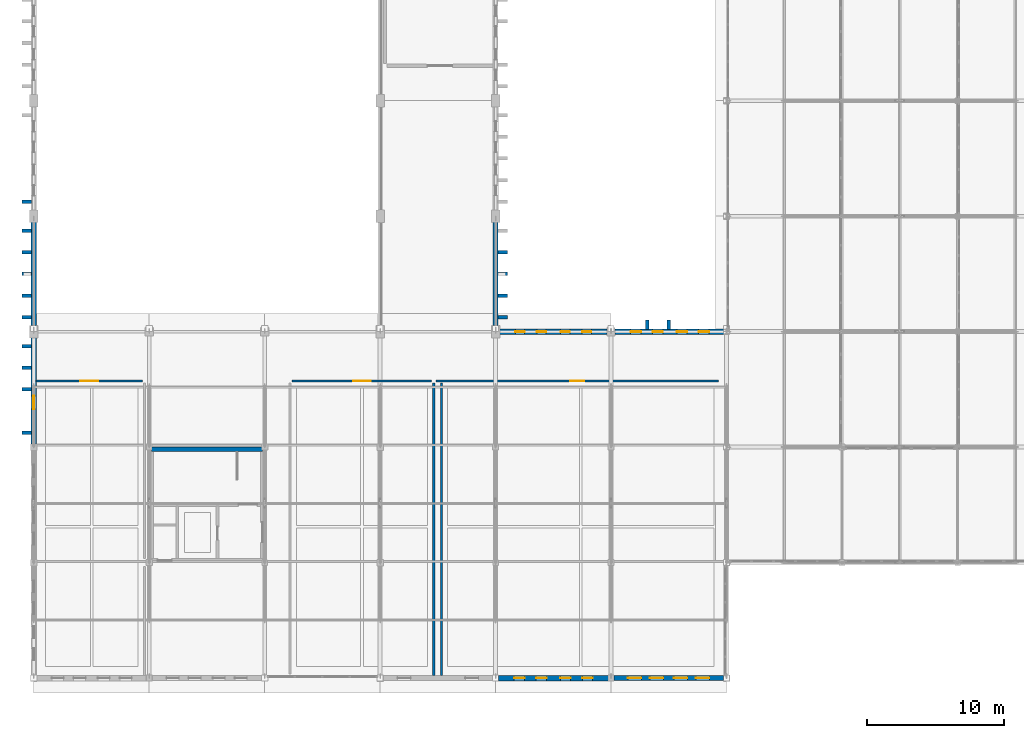
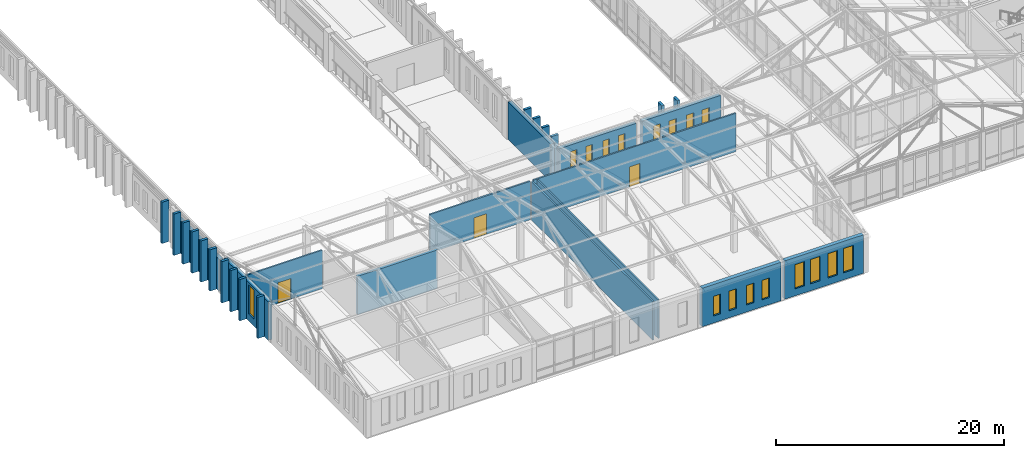
# One storey, part 157 of 192: 29 walls, 17 windows, 3 doors, 20 openings.
"""IFC4 building model written with IfcOpenShell, lengths in metres."""

import ifcopenshell
import ifcopenshell.guid

model = None  # the IFC model being written
_history = None  # IfcOwnerHistory: only IFC2X3 demands one
_inside = {}  # id of a spatial element -> (the spatial element, [elements in it])
_under = {}  # id of a project, library or spatial element -> (it, [spatial elements below it])
_declared = {}  # id of a project -> (the project, [libraries it declares])
_typed = {}  # id of a type object -> (the type object, [elements of that type])
_made_of = {}  # id of a material, layer set ... -> (it, [elements and type objects made of it])


def new_model(schema):
    """Start an empty IFC model of exactly this schema.

    Asked for "IFC4X3", IfcOpenShell would pick the latest addendum, in which some entities
    have other attributes; the version numbers below select the first issue.
    IFC2X3 requires an IfcOwnerHistory on every rooted entity: one is made here for all.
    """
    global model, _history
    if schema == "IFC4X3":
        model = ifcopenshell.file(schema_version=(4, 3, 0, 0))
    else:
        model = ifcopenshell.file(schema=schema)
    _inside.clear()
    _under.clear()
    _declared.clear()
    _typed.clear()
    _made_of.clear()
    _history = None
    if model.schema == "IFC2X3":
        org = make("IfcOrganization", Name="unknown")
        user = make(
            "IfcPersonAndOrganization",
            ThePerson=make("IfcPerson", FamilyName="unknown"),
            TheOrganization=org,
        )
        app = make(
            "IfcApplication",
            ApplicationDeveloper=org,
            Version="unknown",
            ApplicationFullName="unknown",
            ApplicationIdentifier="unknown",
        )
        _history = make(
            "IfcOwnerHistory",
            OwningUser=user,
            OwningApplication=app,
            ChangeAction="ADDED",
            CreationDate=0,
        )
    return model


def make(cls, **values):
    """One entity of the class cls with the attributes given. An attribute that is None is left unset."""
    return model.create_entity(
        cls, **{name: value for name, value in values.items() if value is not None}
    )


def rooted(cls, **values):
    """An entity with a GlobalId (a new one), such as an element, a storey or a relation."""
    return make(cls, GlobalId=ifcopenshell.guid.new(), OwnerHistory=_history, **values)


def si_unit(unit_type, name, prefix=None):
    """IfcSIUnit, for example si_unit("LENGTHUNIT", "METRE", prefix="MILLI")."""
    return make("IfcSIUnit", UnitType=unit_type, Prefix=prefix, Name=name)


def assignment(units):
    """IfcUnitAssignment: the units of a project."""
    return None if units is None else make("IfcUnitAssignment", Units=units)


def point(xyz):
    """IfcCartesianPoint."""
    return None if xyz is None else make("IfcCartesianPoint", Coordinates=xyz)


def direction(xyz):
    """IfcDirection."""
    return None if xyz is None else make("IfcDirection", DirectionRatios=xyz)


def frame(location, z_axis=None, x_axis=None):
    """IfcAxis2Placement3D, a coordinate frame: its origin and axes. An axis left out is left unset."""
    return make(
        "IfcAxis2Placement3D",
        Location=point(location),
        Axis=direction(z_axis),
        RefDirection=direction(x_axis),
    )


def frame_2d(location, x_axis=None):
    """IfcAxis2Placement2D, a coordinate frame in the plane: its origin and x axis."""
    return make(
        "IfcAxis2Placement2D", Location=point(location), RefDirection=direction(x_axis)
    )


def origin():
    """The frame at (0, 0, 0) with its axes left unset."""
    return frame((0.0, 0.0, 0.0))


def place(relative_to, where):
    """IfcLocalPlacement: puts the frame where relative to a parent placement (None: the world)."""
    return make(
        "IfcLocalPlacement", PlacementRelTo=relative_to, RelativePlacement=where
    )


def context(
    kind, dimensions, precision=None, world=None, true_north=None, identifier=None
):
    """IfcGeometricRepresentationContext, for example the 3D "Model" context."""
    return make(
        "IfcGeometricRepresentationContext",
        ContextIdentifier=identifier,
        ContextType=kind,
        CoordinateSpaceDimension=dimensions,
        Precision=precision,
        WorldCoordinateSystem=world,
        TrueNorth=true_north,
    )


def subcontext(parent, identifier, kind, view, scale=None):
    """IfcGeometricRepresentationSubContext, for example "Body" below "Model"."""
    return make(
        "IfcGeometricRepresentationSubContext",
        ContextIdentifier=identifier,
        ContextType=kind,
        ParentContext=parent,
        TargetScale=scale,
        TargetView=view,
    )


def project(units=None, contexts=None):
    """IfcProject with its units and contexts."""
    return rooted(
        "IfcProject",
        Name="project",
        RepresentationContexts=contexts,
        UnitsInContext=assignment(units),
    )


def spatial(cls, under=None, at=None, **own):
    """A site, building, storey or space (cls), placed at a placement, below another one or the project."""
    s = rooted(cls, ObjectPlacement=at, **own)
    if under is not None:
        _under.setdefault(under.id(), (under, []))[1].append(s)
    return s


def profile(cls, at=None, kind="AREA", **sizes):
    """A parametric profile (cls). Its sizes go by their IFC names, for example OverallWidth=200.0."""
    return make(cls, ProfileType=kind, Position=at, **sizes)


def rectangle(**sizes):
    """IfcRectangleProfileDef."""
    return profile("IfcRectangleProfileDef", **sizes)


def extrude(swept, where, along, depth):
    """IfcExtrudedAreaSolid: the profile swept, set in the frame where, extruded along a direction by depth."""
    return make(
        "IfcExtrudedAreaSolid",
        SweptArea=swept,
        Position=where,
        ExtrudedDirection=direction(along),
        Depth=depth,
    )


def shape(context_of_items, identifier, shape_type, items):
    """IfcShapeRepresentation: the items that make up one representation, for example the "Body"."""
    return make(
        "IfcShapeRepresentation",
        ContextOfItems=context_of_items,
        RepresentationIdentifier=identifier,
        RepresentationType=shape_type,
        Items=items,
    )


def material(Name=None, Category=None):
    """IfcMaterial."""
    return make("IfcMaterial", Name=Name, Category=Category)


def layer(
    of_material, thickness, ventilated=None, Name=None, Category=None, Priority=None
):
    """IfcMaterialLayer: one layer of a wall or slab, of a material (None: an air gap)."""
    return make(
        "IfcMaterialLayer",
        Material=of_material,
        LayerThickness=thickness,
        IsVentilated=ventilated,
        Name=Name,
        Category=Category,
        Priority=Priority,
    )


def layer_set(layers, Name=None):
    """IfcMaterialLayerSet."""
    return make("IfcMaterialLayerSet", MaterialLayers=layers, LayerSetName=Name)


def made_of(thing, what):
    """Note that an element or type object is made of a material, layer set ...; save() writes the relation."""
    if what is not None:
        _made_of.setdefault(what.id(), (what, []))[1].append(thing)
    return thing


def type_object(cls, material=None, **own):
    """A type object (cls), such as IfcWallType, which elements share."""
    return made_of(rooted(cls, **own), material)


def element(
    cls,
    number,
    at=None,
    inside=None,
    cuts=None,
    type_object=None,
    material=None,
    context=None,
    identifier="Body",
    shape_type=None,
    held_by="IfcProductDefinitionShape",
    body=None,
    shapes=None,
    **own,
):
    """One element of the class cls, such as IfcWall. Its Tag is "e" and its number.

    at: its placement. inside: the storey or other place that contains it. cuts: it is an
    opening in that element (IfcRelVoidsElement). A single representation is given by context,
    identifier, shape_type and body (its items); several are given by shapes. held_by: the class
    of the entity that holds the representations. save() writes the other relations.
    """
    e = rooted(cls, Tag="e%d" % number, ObjectPlacement=at, **own)
    if body is not None:
        shapes = [shape(context, identifier, shape_type, body)]
    if shapes is not None:
        e.Representation = make(held_by, Representations=shapes)
    if inside is not None:
        _inside.setdefault(inside.id(), (inside, []))[1].append(e)
    if cuts is not None:
        rooted(
            "IfcRelVoidsElement", RelatingBuildingElement=cuts, RelatedOpeningElement=e
        )
    if type_object is not None:
        _typed.setdefault(type_object.id(), (type_object, []))[1].append(e)
    return made_of(e, material)


def fill(opening, filler):
    """IfcRelFillsElement: the door or window that sits in an opening."""
    return rooted(
        "IfcRelFillsElement",
        RelatingOpeningElement=opening,
        RelatedBuildingElement=filler,
    )


def aggregate(whole, parts):
    """IfcRelAggregates: a whole, such as a stair, and the parts it consists of."""
    return rooted("IfcRelAggregates", RelatingObject=whole, RelatedObjects=parts)


def save(model, path):
    """Write the relations noted so far, then the file.

    IfcRelAggregates (storeys below a building ...), IfcRelContainedInSpatialStructure (elements
    in a storey), IfcRelDefinesByType, IfcRelAssociatesMaterial and IfcRelDeclares: one each for
    every whole, place, type object, material and project.
    """
    for whole, parts in _under.values():
        aggregate(whole, parts)
    for where, things in _inside.values():
        rooted(
            "IfcRelContainedInSpatialStructure",
            RelatedElements=things,
            RelatingStructure=where,
        )
    for kind, things in _typed.values():
        rooted("IfcRelDefinesByType", RelatedObjects=things, RelatingType=kind)
    for what, things in _made_of.values():
        rooted("IfcRelAssociatesMaterial", RelatedObjects=things, RelatingMaterial=what)
    for by, libraries in _declared.values():
        rooted("IfcRelDeclares", RelatingContext=by, RelatedDefinitions=libraries)
    model.write(path)


model = new_model("IFC4")

# Units and contexts
model_context = context("Model", 3, precision=1e-05, world=origin(), true_north=direction((0.0, 1.0)))
body_context = subcontext(model_context, "Body", "Model", "MODEL_VIEW")
ifc_project = project(units=[si_unit("LENGTHUNIT", "METRE"), si_unit("AREAUNIT", "SQUARE_METRE"), si_unit("VOLUMEUNIT", "CUBIC_METRE"), si_unit("PLANEANGLEUNIT", "RADIAN"), si_unit("MASSUNIT", "GRAM", prefix="KILO")], contexts=[model_context])

# Site, building, storey
site_placement = place(None, origin())
site = spatial("IfcSite", under=ifc_project, at=site_placement, CompositionType="ELEMENT")
building_placement = place(site_placement, origin())
building = spatial("IfcBuilding", under=site, at=building_placement, Name="Kveldsbrygga Polytechnic", CompositionType="ELEMENT")
storey_placement = place(building_placement, frame((0.0, 0.0, 5.43994140625)))
storey = spatial("IfcBuildingStorey", under=building, at=storey_placement, Name="L01", CompositionType="ELEMENT", Elevation=5.43994140625)

# Walls
ifc_material_1 = material(Name="Fired clay brick masonry M10", Category="masonry")
ifc_layer_1 = layer(ifc_material_1, 0.3798828125)
ifc_layer_set_1 = layer_set([ifc_layer_1], Name="Fired clay brick masonry M10")
wall_type_1 = type_object("IfcWallType", Name="EW-BRICK-380", PredefinedType="SOLIDWALL", material=ifc_layer_set_1)
wall_1_placement = place(storey_placement, frame((0.0, 25.635009765625, 0.0), z_axis=(0.0, 0.0, 1.0), x_axis=(0.0, 1.0, 0.0)))
element("IfcWall", 1, at=wall_1_placement, inside=storey, type_object=wall_type_1, Name="Exterior Brick Wall EW-L01-Y-00-03", PredefinedType="SOLIDWALL", context=body_context, shape_type="SweptSolid", body=[
    extrude(rectangle(XDim=7.530029296875, YDim=0.3798828125, at=frame_2d((3.76513671875, 0.0))), origin(), (0.0, 0.0, 1.0), 3.4599609375),
])
wall_2_placement = place(storey_placement, frame((33.60009765625, 25.635009765625, 0.0), z_axis=(0.0, 0.0, 1.0), x_axis=(0.0, 1.0, 0.0)))
element("IfcWall", 2, at=wall_2_placement, inside=storey, type_object=wall_type_1, Name="Exterior Brick Wall EW-L01-Y-04-03", PredefinedType="SOLIDWALL", context=body_context, shape_type="SweptSolid", body=[
    extrude(rectangle(XDim=7.530029296875, YDim=0.3798828125, at=frame_2d((3.76513671875, 0.0))), origin(), (0.0, 0.0, 1.0), 4.02001953125),
])

# Wall, openings, windows
wall_3_placement = place(storey_placement, frame((33.885009765625, 25.199951171875, 0.0), z_axis=(0.0, 0.0, 1.0), x_axis=(1.0, 0.0, 0.0)))
wall_3 = element("IfcWall", 3, at=wall_3_placement, inside=storey, type_object=wall_type_1, Name="Exterior Brick Wall EW-L01-X-04-03", PredefinedType="SOLIDWALL", context=body_context, shape_type="SweptSolid", body=[
    extrude(rectangle(XDim=7.830078125, YDim=0.3798828125, at=frame_2d((3.9150390625, 0.0))), origin(), (0.0, 0.0, 1.0), 3.760009765625),
])
opening_1_placement = place(wall_3_placement, frame((1.147705078125, 0.0, 0.75)))
opening_1 = element("IfcOpeningElement", 4, at=opening_1_placement, cuts=wall_3, Name="Opening W-42", PredefinedType="OPENING", context=body_context, shape_type="SweptSolid", body=[
    extrude(rectangle(XDim=0.679931640625, YDim=2.300048828125, at=frame_2d((0.33984375, 1.14990234375))), frame((0.0, 0.199951171875, 0.0), z_axis=(0.0, -1.0, 0.0), x_axis=(1.0, 0.0, 0.0)), (0.0, 0.0, 1.0), 0.39990234375),
])
opening_2_placement = place(wall_3_placement, frame((2.713623046875, 0.0, 0.75)))
opening_2 = element("IfcOpeningElement", 5, at=opening_2_placement, cuts=wall_3, Name="Opening W-42", PredefinedType="OPENING", context=body_context, shape_type="SweptSolid", body=[
    extrude(rectangle(XDim=0.679931640625, YDim=2.300048828125, at=frame_2d((0.33984375, 1.14990234375))), frame((0.0, 0.199951171875, 0.0), z_axis=(0.0, -1.0, 0.0), x_axis=(1.0, 0.0, 0.0)), (0.0, 0.0, 1.0), 0.39990234375),
])
opening_3_placement = place(wall_3_placement, frame((4.436279296875, 0.0, 0.75)))
opening_3 = element("IfcOpeningElement", 6, at=opening_3_placement, cuts=wall_3, Name="Opening W-42", PredefinedType="OPENING", context=body_context, shape_type="SweptSolid", body=[
    extrude(rectangle(XDim=0.679931640625, YDim=2.300048828125, at=frame_2d((0.33984375, 1.14990234375))), frame((0.0, 0.199951171875, 0.0), z_axis=(0.0, -1.0, 0.0), x_axis=(1.0, 0.0, 0.0)), (0.0, 0.0, 1.0), 0.39990234375),
])
opening_4_placement = place(wall_3_placement, frame((6.002197265625, 0.0, 0.75)))
opening_4 = element("IfcOpeningElement", 7, at=opening_4_placement, cuts=wall_3, Name="Opening W-42", PredefinedType="OPENING", context=body_context, shape_type="SweptSolid", body=[
    extrude(rectangle(XDim=0.679931640625, YDim=2.300048828125, at=frame_2d((0.33984375, 1.14990234375))), frame((0.0, 0.199951171875, 0.0), z_axis=(0.0, -1.0, 0.0), x_axis=(1.0, 0.0, 0.0)), (0.0, 0.0, 1.0), 0.39990234375),
])
ifc_material_2 = material(Name="Insulated triple low-E glass", Category="glass")
window_type_1 = type_object("IfcWindowType", Name="WN-LANC-068x230", PartitioningType="DOUBLE_PANEL_VERTICAL", PredefinedType="WINDOW", material=ifc_material_2)
window_1_placement = place(opening_1_placement, origin())
window_1 = element("IfcWindow", 8, at=window_1_placement, inside=storey, type_object=window_type_1, Name="Gothic Lancet Window WIN-L01-X-04-03-1", OverallHeight=2.300048828125, OverallWidth=0.679931640625, PartitioningType="DOUBLE_PANEL_VERTICAL", PredefinedType="WINDOW", context=body_context, shape_type="SweptSolid", body=[
    extrude(rectangle(XDim=0.679931640625, YDim=2.300048828125, at=frame_2d((0.33984375, 1.14990234375))), frame((0.0, 0.030029296875, 0.0), z_axis=(0.0, -1.0, 0.0), x_axis=(1.0, 0.0, 0.0)), (0.0, 0.0, 1.0), 0.06005859375),
])
fill(opening_1, window_1)
window_2_placement = place(opening_2_placement, origin())
window_2 = element("IfcWindow", 9, at=window_2_placement, inside=storey, type_object=window_type_1, Name="Gothic Lancet Window WIN-L01-X-04-03-2", OverallHeight=2.300048828125, OverallWidth=0.679931640625, PartitioningType="DOUBLE_PANEL_VERTICAL", PredefinedType="WINDOW", context=body_context, shape_type="SweptSolid", body=[
    extrude(rectangle(XDim=0.679931640625, YDim=2.300048828125, at=frame_2d((0.33984375, 1.14990234375))), frame((0.0, 0.030029296875, 0.0), z_axis=(0.0, -1.0, 0.0), x_axis=(1.0, 0.0, 0.0)), (0.0, 0.0, 1.0), 0.06005859375),
])
fill(opening_2, window_2)
window_3_placement = place(opening_3_placement, origin())
window_3 = element("IfcWindow", 10, at=window_3_placement, inside=storey, type_object=window_type_1, Name="Gothic Lancet Window WIN-L01-X-04-03-3", OverallHeight=2.300048828125, OverallWidth=0.679931640625, PartitioningType="DOUBLE_PANEL_VERTICAL", PredefinedType="WINDOW", context=body_context, shape_type="SweptSolid", body=[
    extrude(rectangle(XDim=0.679931640625, YDim=2.300048828125, at=frame_2d((0.33984375, 1.14990234375))), frame((0.0, 0.030029296875, 0.0), z_axis=(0.0, -1.0, 0.0), x_axis=(1.0, 0.0, 0.0)), (0.0, 0.0, 1.0), 0.06005859375),
])
fill(opening_3, window_3)
window_4_placement = place(opening_4_placement, origin())
window_4 = element("IfcWindow", 11, at=window_4_placement, inside=storey, type_object=window_type_1, Name="Gothic Lancet Window WIN-L01-X-04-03-4", OverallHeight=2.300048828125, OverallWidth=0.679931640625, PartitioningType="DOUBLE_PANEL_VERTICAL", PredefinedType="WINDOW", context=body_context, shape_type="SweptSolid", body=[
    extrude(rectangle(XDim=0.679931640625, YDim=2.300048828125, at=frame_2d((0.33984375, 1.14990234375))), frame((0.0, 0.030029296875, 0.0), z_axis=(0.0, -1.0, 0.0), x_axis=(1.0, 0.0, 0.0)), (0.0, 0.0, 1.0), 0.06005859375),
])
fill(opening_4, window_4)

wall_4_placement = place(storey_placement, frame((42.195068359375, 0.0, 0.0), z_axis=(0.0, 0.0, 1.0), x_axis=(1.0, 0.0, 0.0)))
wall_4 = element("IfcWall", 12, at=wall_4_placement, inside=storey, type_object=wall_type_1, Name="Exterior Brick Wall EW-L01-X-05-00", PredefinedType="SOLIDWALL", context=body_context, shape_type="SweptSolid", body=[
    extrude(rectangle(XDim=7.97998046875, YDim=0.3798828125, at=frame_2d((3.989990234375, 0.0))), origin(), (0.0, 0.0, 1.0), 4.1201171875),
])
opening_5_placement = place(wall_4_placement, frame((1.026123046875, 0.0, 0.75)))
opening_5 = element("IfcOpeningElement", 13, at=opening_5_placement, cuts=wall_4, Name="Opening W-30", PredefinedType="OPENING", context=body_context, shape_type="SweptSolid", body=[
    extrude(rectangle(XDim=0.97998046875, YDim=2.60009765625, at=frame_2d((0.489990234375, 1.300048828125))), frame((0.0, 0.199951171875, 0.0), z_axis=(0.0, -1.0, 0.0), x_axis=(1.0, 0.0, 0.0)), (0.0, 0.0, 1.0), 0.39990234375),
])
opening_6_placement = place(wall_4_placement, frame((2.622314453125, 0.0, 0.75)))
opening_6 = element("IfcOpeningElement", 14, at=opening_6_placement, cuts=wall_4, Name="Opening W-30", PredefinedType="OPENING", context=body_context, shape_type="SweptSolid", body=[
    extrude(rectangle(XDim=0.97998046875, YDim=2.60009765625, at=frame_2d((0.489990234375, 1.300048828125))), frame((0.0, 0.199951171875, 0.0), z_axis=(0.0, -1.0, 0.0), x_axis=(1.0, 0.0, 0.0)), (0.0, 0.0, 1.0), 0.39990234375),
])
opening_7_placement = place(wall_4_placement, frame((4.377685546875, 0.0, 0.75)))
opening_7 = element("IfcOpeningElement", 15, at=opening_7_placement, cuts=wall_4, Name="Opening W-30", PredefinedType="OPENING", context=body_context, shape_type="SweptSolid", body=[
    extrude(rectangle(XDim=0.97998046875, YDim=2.60009765625, at=frame_2d((0.489990234375, 1.300048828125))), frame((0.0, 0.199951171875, 0.0), z_axis=(0.0, -1.0, 0.0), x_axis=(1.0, 0.0, 0.0)), (0.0, 0.0, 1.0), 0.39990234375),
])
opening_8_placement = place(wall_4_placement, frame((5.973876953125, 0.0, 0.75)))
opening_8 = element("IfcOpeningElement", 16, at=opening_8_placement, cuts=wall_4, Name="Opening W-30", PredefinedType="OPENING", context=body_context, shape_type="SweptSolid", body=[
    extrude(rectangle(XDim=0.97998046875, YDim=2.60009765625, at=frame_2d((0.489990234375, 1.300048828125))), frame((0.0, 0.199951171875, 0.0), z_axis=(0.0, -1.0, 0.0), x_axis=(1.0, 0.0, 0.0)), (0.0, 0.0, 1.0), 0.39990234375),
])
window_type_2 = type_object("IfcWindowType", Name="WN-LANC-098x260", PartitioningType="DOUBLE_PANEL_VERTICAL", PredefinedType="WINDOW", material=ifc_material_2)
window_5_placement = place(opening_5_placement, origin())
window_5 = element("IfcWindow", 17, at=window_5_placement, inside=storey, type_object=window_type_2, Name="Gothic Lancet Window WIN-L01-X-05-00-1", OverallHeight=2.60009765625, OverallWidth=0.97998046875, PartitioningType="DOUBLE_PANEL_VERTICAL", PredefinedType="WINDOW", context=body_context, shape_type="SweptSolid", body=[
    extrude(rectangle(XDim=0.97998046875, YDim=2.60009765625, at=frame_2d((0.489990234375, 1.300048828125))), frame((0.0, 0.030029296875, 0.0), z_axis=(0.0, -1.0, 0.0), x_axis=(1.0, 0.0, 0.0)), (0.0, 0.0, 1.0), 0.06005859375),
])
fill(opening_5, window_5)
window_6_placement = place(opening_6_placement, origin())
window_6 = element("IfcWindow", 18, at=window_6_placement, inside=storey, type_object=window_type_2, Name="Gothic Lancet Window WIN-L01-X-05-00-2", OverallHeight=2.60009765625, OverallWidth=0.97998046875, PartitioningType="DOUBLE_PANEL_VERTICAL", PredefinedType="WINDOW", context=body_context, shape_type="SweptSolid", body=[
    extrude(rectangle(XDim=0.97998046875, YDim=2.60009765625, at=frame_2d((0.489990234375, 1.300048828125))), frame((0.0, 0.030029296875, 0.0), z_axis=(0.0, -1.0, 0.0), x_axis=(1.0, 0.0, 0.0)), (0.0, 0.0, 1.0), 0.06005859375),
])
fill(opening_6, window_6)
window_7_placement = place(opening_7_placement, origin())
window_7 = element("IfcWindow", 19, at=window_7_placement, inside=storey, type_object=window_type_2, Name="Gothic Lancet Window WIN-L01-X-05-00-3", OverallHeight=2.60009765625, OverallWidth=0.97998046875, PartitioningType="DOUBLE_PANEL_VERTICAL", PredefinedType="WINDOW", context=body_context, shape_type="SweptSolid", body=[
    extrude(rectangle(XDim=0.97998046875, YDim=2.60009765625, at=frame_2d((0.489990234375, 1.300048828125))), frame((0.0, 0.030029296875, 0.0), z_axis=(0.0, -1.0, 0.0), x_axis=(1.0, 0.0, 0.0)), (0.0, 0.0, 1.0), 0.06005859375),
])
fill(opening_7, window_7)
window_8_placement = place(opening_8_placement, origin())
window_8 = element("IfcWindow", 20, at=window_8_placement, inside=storey, type_object=window_type_2, Name="Gothic Lancet Window WIN-L01-X-05-00-4", OverallHeight=2.60009765625, OverallWidth=0.97998046875, PartitioningType="DOUBLE_PANEL_VERTICAL", PredefinedType="WINDOW", context=body_context, shape_type="SweptSolid", body=[
    extrude(rectangle(XDim=0.97998046875, YDim=2.60009765625, at=frame_2d((0.489990234375, 1.300048828125))), frame((0.0, 0.030029296875, 0.0), z_axis=(0.0, -1.0, 0.0), x_axis=(1.0, 0.0, 0.0)), (0.0, 0.0, 1.0), 0.06005859375),
])
fill(opening_8, window_8)

# Wall, opening, window
ifc_layer_2 = layer(ifc_material_1, 0.39990234375)
ifc_layer_set_2 = layer_set([ifc_layer_2], Name="Fired clay brick masonry M10")
wall_type_2 = type_object("IfcWallType", Name="EW-BRICK-400", PredefinedType="SOLIDWALL", material=ifc_layer_set_2)
wall_5_placement = place(storey_placement, frame((0.0, 17.02490234375, 0.0), z_axis=(0.0, 0.0, 1.0), x_axis=(0.0, 1.0, 0.0)))
wall_5 = element("IfcWall", 21, at=wall_5_placement, inside=storey, type_object=wall_type_2, Name="Exterior Brick Wall EW-L01-Y-00-02", PredefinedType="SOLIDWALL", context=body_context, shape_type="SweptSolid", body=[
    extrude(rectangle(XDim=7.739990234375, YDim=0.39990234375, at=frame_2d((3.8701171875, 0.0))), origin(), (0.0, 0.0, 1.0), 4.1201171875),
])
opening_9_placement = place(wall_5_placement, frame((2.53857421875, 0.0, 0.75)))
opening_9 = element("IfcOpeningElement", 22, at=opening_9_placement, cuts=wall_5, Name="Opening W-25", PredefinedType="OPENING", context=body_context, shape_type="SweptSolid", body=[
    extrude(rectangle(XDim=0.9599609375, YDim=3.10009765625, at=frame_2d((0.47998046875, 1.550048828125))), frame((0.0, 0.2099609375, 0.0), z_axis=(0.0, -1.0, 0.0), x_axis=(1.0, 0.0, 0.0)), (0.0, 0.0, 1.0), 0.419921875),
])
window_type_3 = type_object("IfcWindowType", Name="WN-WORK-096x310", PartitioningType="DOUBLE_PANEL_VERTICAL", PredefinedType="WINDOW", material=ifc_material_2)
window_9_placement = place(opening_9_placement, origin())
window_9 = element("IfcWindow", 23, at=window_9_placement, inside=storey, type_object=window_type_3, Name="Gothic Lancet Window WIN-L01-Y-00-02-2", OverallHeight=3.10009765625, OverallWidth=0.9599609375, PartitioningType="DOUBLE_PANEL_VERTICAL", PredefinedType="WINDOW", context=body_context, shape_type="SweptSolid", body=[
    extrude(rectangle(XDim=0.9599609375, YDim=3.10009765625, at=frame_2d((0.47998046875, 1.550048828125))), frame((0.0, 0.030029296875, 0.0), z_axis=(0.0, -1.0, 0.0), x_axis=(1.0, 0.0, 0.0)), (0.0, 0.0, 1.0), 0.06005859375),
])
fill(opening_9, window_9)

# Wall, openings, windows
wall_6_placement = place(storey_placement, frame((33.81005859375, 0.0, 0.0), z_axis=(0.0, 0.0, 1.0), x_axis=(1.0, 0.0, 0.0)))
wall_6 = element("IfcWall", 24, at=wall_6_placement, inside=storey, type_object=wall_type_2, Name="Exterior Brick Wall EW-L01-X-04-00", PredefinedType="SOLIDWALL", context=body_context, shape_type="SweptSolid", body=[
    extrude(rectangle(XDim=7.994873046875, YDim=0.39990234375, at=frame_2d((3.99755859375, 0.0))), origin(), (0.0, 0.0, 1.0), 4.1201171875),
])
opening_10_placement = place(wall_6_placement, frame((1.14404296875, 0.0, 0.75)))
opening_10 = element("IfcOpeningElement", 25, at=opening_10_placement, cuts=wall_6, Name="Opening W-27", PredefinedType="OPENING", context=body_context, shape_type="SweptSolid", body=[
    extrude(rectangle(XDim=0.75, YDim=2.10009765625, at=frame_2d((0.375, 1.050048828125))), frame((0.0, 0.2099609375, 0.0), z_axis=(0.0, -1.0, 0.0), x_axis=(1.0, 0.0, 0.0)), (0.0, 0.0, 1.0), 0.419921875),
])
opening_11_placement = place(wall_6_placement, frame((2.7431640625, 0.0, 0.75)))
opening_11 = element("IfcOpeningElement", 26, at=opening_11_placement, cuts=wall_6, Name="Opening W-27", PredefinedType="OPENING", context=body_context, shape_type="SweptSolid", body=[
    extrude(rectangle(XDim=0.75, YDim=2.10009765625, at=frame_2d((0.375, 1.050048828125))), frame((0.0, 0.2099609375, 0.0), z_axis=(0.0, -1.0, 0.0), x_axis=(1.0, 0.0, 0.0)), (0.0, 0.0, 1.0), 0.419921875),
])
opening_12_placement = place(wall_6_placement, frame((4.501953125, 0.0, 0.75)))
opening_12 = element("IfcOpeningElement", 27, at=opening_12_placement, cuts=wall_6, Name="Opening W-27", PredefinedType="OPENING", context=body_context, shape_type="SweptSolid", body=[
    extrude(rectangle(XDim=0.75, YDim=2.10009765625, at=frame_2d((0.375, 1.050048828125))), frame((0.0, 0.2099609375, 0.0), z_axis=(0.0, -1.0, 0.0), x_axis=(1.0, 0.0, 0.0)), (0.0, 0.0, 1.0), 0.419921875),
])
opening_13_placement = place(wall_6_placement, frame((6.100830078125, 0.0, 0.75)))
opening_13 = element("IfcOpeningElement", 28, at=opening_13_placement, cuts=wall_6, Name="Opening W-27", PredefinedType="OPENING", context=body_context, shape_type="SweptSolid", body=[
    extrude(rectangle(XDim=0.75, YDim=2.10009765625, at=frame_2d((0.375, 1.050048828125))), frame((0.0, 0.2099609375, 0.0), z_axis=(0.0, -1.0, 0.0), x_axis=(1.0, 0.0, 0.0)), (0.0, 0.0, 1.0), 0.419921875),
])
window_type_4 = type_object("IfcWindowType", Name="WN-ATTIC-075x210", PartitioningType="DOUBLE_PANEL_VERTICAL", PredefinedType="WINDOW", material=ifc_material_2)
window_10_placement = place(opening_10_placement, origin())
window_10 = element("IfcWindow", 29, at=window_10_placement, inside=storey, type_object=window_type_4, Name="Gothic Lancet Window WIN-L01-X-04-00-1", OverallHeight=2.10009765625, OverallWidth=0.75, PartitioningType="DOUBLE_PANEL_VERTICAL", PredefinedType="WINDOW", context=body_context, shape_type="SweptSolid", body=[
    extrude(rectangle(XDim=0.75, YDim=2.10009765625, at=frame_2d((0.375, 1.050048828125))), frame((0.0, 0.030029296875, 0.0), z_axis=(0.0, -1.0, 0.0), x_axis=(1.0, 0.0, 0.0)), (0.0, 0.0, 1.0), 0.06005859375),
])
fill(opening_10, window_10)
window_11_placement = place(opening_11_placement, origin())
window_11 = element("IfcWindow", 30, at=window_11_placement, inside=storey, type_object=window_type_4, Name="Gothic Lancet Window WIN-L01-X-04-00-2", OverallHeight=2.10009765625, OverallWidth=0.75, PartitioningType="DOUBLE_PANEL_VERTICAL", PredefinedType="WINDOW", context=body_context, shape_type="SweptSolid", body=[
    extrude(rectangle(XDim=0.75, YDim=2.10009765625, at=frame_2d((0.375, 1.050048828125))), frame((0.0, 0.030029296875, 0.0), z_axis=(0.0, -1.0, 0.0), x_axis=(1.0, 0.0, 0.0)), (0.0, 0.0, 1.0), 0.06005859375),
])
fill(opening_11, window_11)
window_12_placement = place(opening_12_placement, origin())
window_12 = element("IfcWindow", 31, at=window_12_placement, inside=storey, type_object=window_type_4, Name="Gothic Lancet Window WIN-L01-X-04-00-3", OverallHeight=2.10009765625, OverallWidth=0.75, PartitioningType="DOUBLE_PANEL_VERTICAL", PredefinedType="WINDOW", context=body_context, shape_type="SweptSolid", body=[
    extrude(rectangle(XDim=0.75, YDim=2.10009765625, at=frame_2d((0.375, 1.050048828125))), frame((0.0, 0.030029296875, 0.0), z_axis=(0.0, -1.0, 0.0), x_axis=(1.0, 0.0, 0.0)), (0.0, 0.0, 1.0), 0.06005859375),
])
fill(opening_12, window_12)
window_13_placement = place(opening_13_placement, origin())
window_13 = element("IfcWindow", 32, at=window_13_placement, inside=storey, type_object=window_type_4, Name="Gothic Lancet Window WIN-L01-X-04-00-4", OverallHeight=2.10009765625, OverallWidth=0.75, PartitioningType="DOUBLE_PANEL_VERTICAL", PredefinedType="WINDOW", context=body_context, shape_type="SweptSolid", body=[
    extrude(rectangle(XDim=0.75, YDim=2.10009765625, at=frame_2d((0.375, 1.050048828125))), frame((0.0, 0.030029296875, 0.0), z_axis=(0.0, -1.0, 0.0), x_axis=(1.0, 0.0, 0.0)), (0.0, 0.0, 1.0), 0.06005859375),
])
fill(opening_13, window_13)

wall_7_placement = place(storey_placement, frame((42.284912109375, 25.199951171875, 0.0), z_axis=(0.0, 0.0, 1.0), x_axis=(1.0, 0.0, 0.0)))
wall_7 = element("IfcWall", 33, at=wall_7_placement, inside=storey, type_object=wall_type_2, Name="Exterior Brick Wall EW-L01-X-05-03", PredefinedType="SOLIDWALL", context=body_context, shape_type="SweptSolid", body=[
    extrude(rectangle(XDim=7.97998046875, YDim=0.39990234375, at=frame_2d((3.989990234375, 0.0))), origin(), (0.0, 0.0, 1.0), 3.760009765625),
])
opening_14_placement = place(wall_7_placement, frame((1.14111328125, 0.0, 0.75)))
opening_14 = element("IfcOpeningElement", 34, at=opening_14_placement, cuts=wall_7, Name="Opening W-27", PredefinedType="OPENING", context=body_context, shape_type="SweptSolid", body=[
    extrude(rectangle(XDim=0.75, YDim=2.10009765625, at=frame_2d((0.375, 1.050048828125))), frame((0.0, 0.2099609375, 0.0), z_axis=(0.0, -1.0, 0.0), x_axis=(1.0, 0.0, 0.0)), (0.0, 0.0, 1.0), 0.419921875),
])
opening_15_placement = place(wall_7_placement, frame((2.7373046875, 0.0, 0.75)))
opening_15 = element("IfcOpeningElement", 35, at=opening_15_placement, cuts=wall_7, Name="Opening W-27", PredefinedType="OPENING", context=body_context, shape_type="SweptSolid", body=[
    extrude(rectangle(XDim=0.75, YDim=2.10009765625, at=frame_2d((0.375, 1.050048828125))), frame((0.0, 0.2099609375, 0.0), z_axis=(0.0, -1.0, 0.0), x_axis=(1.0, 0.0, 0.0)), (0.0, 0.0, 1.0), 0.419921875),
])
opening_16_placement = place(wall_7_placement, frame((4.492919921875, 0.0, 0.75)))
opening_16 = element("IfcOpeningElement", 36, at=opening_16_placement, cuts=wall_7, Name="Opening W-27", PredefinedType="OPENING", context=body_context, shape_type="SweptSolid", body=[
    extrude(rectangle(XDim=0.75, YDim=2.10009765625, at=frame_2d((0.375, 1.050048828125))), frame((0.0, 0.2099609375, 0.0), z_axis=(0.0, -1.0, 0.0), x_axis=(1.0, 0.0, 0.0)), (0.0, 0.0, 1.0), 0.419921875),
])
opening_17_placement = place(wall_7_placement, frame((6.0888671875, 0.0, 0.75)))
opening_17 = element("IfcOpeningElement", 37, at=opening_17_placement, cuts=wall_7, Name="Opening W-27", PredefinedType="OPENING", context=body_context, shape_type="SweptSolid", body=[
    extrude(rectangle(XDim=0.75, YDim=2.10009765625, at=frame_2d((0.375, 1.050048828125))), frame((0.0, 0.2099609375, 0.0), z_axis=(0.0, -1.0, 0.0), x_axis=(1.0, 0.0, 0.0)), (0.0, 0.0, 1.0), 0.419921875),
])
window_14_placement = place(opening_14_placement, origin())
window_14 = element("IfcWindow", 38, at=window_14_placement, inside=storey, type_object=window_type_4, Name="Gothic Lancet Window WIN-L01-X-05-03-1", OverallHeight=2.10009765625, OverallWidth=0.75, PartitioningType="DOUBLE_PANEL_VERTICAL", PredefinedType="WINDOW", context=body_context, shape_type="SweptSolid", body=[
    extrude(rectangle(XDim=0.75, YDim=2.10009765625, at=frame_2d((0.375, 1.050048828125))), frame((0.0, 0.030029296875, 0.0), z_axis=(0.0, -1.0, 0.0), x_axis=(1.0, 0.0, 0.0)), (0.0, 0.0, 1.0), 0.06005859375),
])
fill(opening_14, window_14)
window_15_placement = place(opening_15_placement, origin())
window_15 = element("IfcWindow", 39, at=window_15_placement, inside=storey, type_object=window_type_4, Name="Gothic Lancet Window WIN-L01-X-05-03-2", OverallHeight=2.10009765625, OverallWidth=0.75, PartitioningType="DOUBLE_PANEL_VERTICAL", PredefinedType="WINDOW", context=body_context, shape_type="SweptSolid", body=[
    extrude(rectangle(XDim=0.75, YDim=2.10009765625, at=frame_2d((0.375, 1.050048828125))), frame((0.0, 0.030029296875, 0.0), z_axis=(0.0, -1.0, 0.0), x_axis=(1.0, 0.0, 0.0)), (0.0, 0.0, 1.0), 0.06005859375),
])
fill(opening_15, window_15)
window_16_placement = place(opening_16_placement, origin())
window_16 = element("IfcWindow", 40, at=window_16_placement, inside=storey, type_object=window_type_4, Name="Gothic Lancet Window WIN-L01-X-05-03-3", OverallHeight=2.10009765625, OverallWidth=0.75, PartitioningType="DOUBLE_PANEL_VERTICAL", PredefinedType="WINDOW", context=body_context, shape_type="SweptSolid", body=[
    extrude(rectangle(XDim=0.75, YDim=2.10009765625, at=frame_2d((0.375, 1.050048828125))), frame((0.0, 0.030029296875, 0.0), z_axis=(0.0, -1.0, 0.0), x_axis=(1.0, 0.0, 0.0)), (0.0, 0.0, 1.0), 0.06005859375),
])
fill(opening_16, window_16)
window_17_placement = place(opening_17_placement, origin())
window_17 = element("IfcWindow", 41, at=window_17_placement, inside=storey, type_object=window_type_4, Name="Gothic Lancet Window WIN-L01-X-05-03-4", OverallHeight=2.10009765625, OverallWidth=0.75, PartitioningType="DOUBLE_PANEL_VERTICAL", PredefinedType="WINDOW", context=body_context, shape_type="SweptSolid", body=[
    extrude(rectangle(XDim=0.75, YDim=2.10009765625, at=frame_2d((0.375, 1.050048828125))), frame((0.0, 0.030029296875, 0.0), z_axis=(0.0, -1.0, 0.0), x_axis=(1.0, 0.0, 0.0)), (0.0, 0.0, 1.0), 0.06005859375),
])
fill(opening_17, window_17)

# Walls
ifc_layer_3 = layer(ifc_material_1, 0.260009765625)
ifc_layer_set_3 = layer_set([ifc_layer_3], Name="Fired clay brick masonry M10")
wall_type_3 = type_object("IfcWallType", Name="EW-BUTT-260", PredefinedType="SOLIDWALL", material=ifc_layer_set_3)
for number, where, z_axis, x_axis, name in (
    (42, (-0.1650390625, 17.85009765625, 0.0), (0.0, 0.0, 1.0), (-1.0, 0.0, 0.0), "Gothic Brick Buttress Pier BUTT-L01-Y-00-02-1"),
    (43, (-0.1650390625, 21.0, 0.0), (0.0, 0.0, 1.0), (-1.0, 0.0, 0.0), "Gothic Brick Buttress Pier BUTT-L01-Y-00-02-3"),
    (44, (-0.1650390625, 22.580078125, 0.0), (0.0, 0.0, 1.0), (-1.0, 0.0, 0.0), "Gothic Brick Buttress Pier BUTT-L01-Y-00-02-4"),
    (45, (-0.1650390625, 24.14990234375, 0.0), (0.0, 0.0, 1.0), (-1.0, 0.0, 0.0), "Gothic Brick Buttress Pier BUTT-L01-Y-00-02-5"),
    (46, (-0.1650390625, 26.25, 0.0), (0.0, 0.0, 1.0), (-1.0, 0.0, 0.0), "Gothic Brick Buttress Pier BUTT-L01-Y-00-03-1"),
    (47, (-0.1650390625, 27.820068359375, 0.0), (0.0, 0.0, 1.0), (-1.0, 0.0, 0.0), "Gothic Brick Buttress Pier BUTT-L01-Y-00-03-2"),
    (48, (-0.1650390625, 29.39990234375, 0.0), (0.0, 0.0, 1.0), (-1.0, 0.0, 0.0), "Gothic Brick Buttress Pier BUTT-L01-Y-00-03-3"),
    (49, (-0.1650390625, 30.97998046875, 0.0), (0.0, 0.0, 1.0), (-1.0, 0.0, 0.0), "Gothic Brick Buttress Pier BUTT-L01-Y-00-03-4"),
    (50, (-0.1650390625, 32.550048828125, 0.0), (0.0, 0.0, 1.0), (-1.0, 0.0, 0.0), "Gothic Brick Buttress Pier BUTT-L01-Y-00-03-5"),
    (51, (-0.1650390625, 34.64990234375, 0.0), (0.0, 0.0, 1.0), (-1.0, 0.0, 0.0), "Gothic Brick Buttress Pier BUTT-L01-Y-00-04-1"),
):
    element("IfcWall", number, at=place(storey_placement, frame(where, z_axis=z_axis, x_axis=x_axis)), inside=storey, type_object=wall_type_3, Name=name, PredefinedType="SOLIDWALL", context=body_context, shape_type="SweptSolid", body=[
        extrude(rectangle(XDim=0.699951171875, YDim=0.260009765625, at=frame_2d((0.35009765625, 0.0))), origin(), (0.0, 0.0, 1.0), 4.420166015625),
    ])
for number, where, z_axis, x_axis, name in (
    (52, (33.764892578125, 26.25, 0.0), (0.0, 0.0, 1.0), (1.0, 0.0, 0.0), "Gothic Brick Buttress Pier BUTT-L01-Y-04-03-1"),
    (53, (33.764892578125, 27.820068359375, 0.0), (0.0, 0.0, 1.0), (1.0, 0.0, 0.0), "Gothic Brick Buttress Pier BUTT-L01-Y-04-03-2"),
    (54, (33.764892578125, 29.39990234375, 0.0), (0.0, 0.0, 1.0), (1.0, 0.0, 0.0), "Gothic Brick Buttress Pier BUTT-L01-Y-04-03-3"),
    (55, (33.764892578125, 30.97998046875, 0.0), (0.0, 0.0, 1.0), (1.0, 0.0, 0.0), "Gothic Brick Buttress Pier BUTT-L01-Y-04-03-4"),
):
    element("IfcWall", number, at=place(storey_placement, frame(where, z_axis=z_axis, x_axis=x_axis)), inside=storey, type_object=wall_type_3, Name=name, PredefinedType="SOLIDWALL", context=body_context, shape_type="SweptSolid", body=[
        extrude(rectangle(XDim=0.7001953125, YDim=0.260009765625, at=frame_2d((0.35009765625, 0.0))), origin(), (0.0, 0.0, 1.0), 4.420166015625),
    ])
for number, where, z_axis, x_axis, name in (
    (56, (44.6201171875, 25.364990234375, 0.0), (0.0, 0.0, 1.0), (0.0, 1.0, 0.0), "Gothic Brick Buttress Pier BUTT-L01-X-05-03-2"),
    (57, (46.199951171875, 25.364990234375, 0.0), (0.0, 0.0, 1.0), (0.0, 1.0, 0.0), "Gothic Brick Buttress Pier BUTT-L01-X-05-03-3"),
):
    element("IfcWall", number, at=place(storey_placement, frame(where, z_axis=z_axis, x_axis=x_axis)), inside=storey, type_object=wall_type_3, Name=name, PredefinedType="SOLIDWALL", context=body_context, shape_type="SweptSolid", body=[
        extrude(rectangle(XDim=0.699951171875, YDim=0.260009765625, at=frame_2d((0.35009765625, 0.0))), origin(), (0.0, 0.0, 1.0), 4.420166015625),
    ])

# Wall, opening, door
ifc_material_3 = material(Name="Gypsum acoustic stud partition")
ifc_layer_4 = layer(ifc_material_3, 0.14990234375)
ifc_layer_set_4 = layer_set([ifc_layer_4], Name="Gypsum acoustic stud partition")
wall_type_4 = type_object("IfcWallType", Name="IW-SEM-150", PredefinedType="PARTITIONING", material=ifc_layer_set_4)
wall_8_placement = place(storey_placement, frame((29.280029296875, 21.60009765625, 0.0), z_axis=(0.0, 0.0, 1.0), x_axis=(1.0, 0.0, 0.0)))
wall_8 = element("IfcWall", 58, at=wall_8_placement, inside=storey, type_object=wall_type_4, Name="Partition Wall IW-SP-L01-SWSEM1-N1", PredefinedType="PARTITIONING", context=body_context, shape_type="SweptSolid", body=[
    extrude(rectangle(XDim=20.52001953125, YDim=0.14990234375, at=frame_2d((10.260009765625, 0.0))), origin(), (0.0, 0.0, 1.0), 4.1201171875),
])
opening_18_placement = place(wall_8_placement, frame((9.735107421875, 0.0, 0.0)))
opening_18 = element("IfcOpeningElement", 59, at=opening_18_placement, cuts=wall_8, Name="Opening ID-L01-046", PredefinedType="OPENING", context=body_context, shape_type="SweptSolid", body=[
    extrude(rectangle(XDim=1.050048828125, YDim=2.14990234375, at=frame_2d((0.52490234375, 1.074951171875))), frame((0.0, 0.0849609375, 0.0), z_axis=(0.0, -1.0, 0.0), x_axis=(1.0, 0.0, 0.0)), (0.0, 0.0, 1.0), 0.169921875),
])
ifc_material_4 = material(Name="Acoustic oak timber", Category="wood")
door_type_1 = type_object("IfcDoorType", Name="ID-SEM-105x215", OperationType="NOTDEFINED", PredefinedType="DOOR", material=ifc_material_4)
door_1_placement = place(opening_18_placement, origin())
door_1 = element("IfcDoor", 60, at=door_1_placement, inside=storey, type_object=door_type_1, Name="Interior Door ID-L01-046", OperationType="SINGLE_SWING_LEFT", OverallHeight=2.14990234375, OverallWidth=1.050048828125, PredefinedType="DOOR", context=body_context, shape_type="SweptSolid", body=[
    extrude(rectangle(XDim=1.050048828125, YDim=2.14990234375, at=frame_2d((0.52490234375, 1.074951171875))), frame((0.0, 0.02490234375, 0.0), z_axis=(0.0, -1.0, 0.0), x_axis=(1.0, 0.0, 0.0)), (0.0, 0.0, 1.0), 0.050048828125),
])
fill(opening_18, door_1)

# Wall
wall_9_placement = place(storey_placement, frame((29.64990234375, 0.179931640625, 0.0), z_axis=(0.0, 0.0, 1.0), x_axis=(0.0, 1.0, 0.0)))
element("IfcWall", 61, at=wall_9_placement, inside=storey, type_object=wall_type_4, Name="Partition Wall IW-SP-L01-SWSEM1-W1", PredefinedType="PARTITIONING", context=body_context, shape_type="SweptSolid", body=[
    extrude(rectangle(XDim=21.27001953125, YDim=0.14990234375, at=frame_2d((10.635009765625, 0.0))), origin(), (0.0, 0.0, 1.0), 4.1201171875),
])

# Wall, opening, door
ifc_layer_5 = layer(ifc_material_3, 0.159912109375)
ifc_layer_set_5 = layer_set([ifc_layer_5], Name="Gypsum acoustic stud partition")
wall_type_5 = type_object("IfcWallType", Name="IW-STD-160", PredefinedType="PARTITIONING", material=ifc_layer_set_5)
wall_10_placement = place(storey_placement, frame((0.179931640625, 21.60009765625, 0.0), z_axis=(0.0, 0.0, 1.0), x_axis=(1.0, 0.0, 0.0)))
wall_10 = element("IfcWall", 62, at=wall_10_placement, inside=storey, type_object=wall_type_5, Name="Partition Wall IW-SP-L01-SWSTD1W-N1", PredefinedType="PARTITIONING", context=body_context, shape_type="SweptSolid", body=[
    extrude(rectangle(XDim=7.719970703125, YDim=0.159912109375, at=frame_2d((3.85986328125, 0.0))), origin(), (0.0, 0.0, 1.0), 4.1201171875),
])
opening_19_placement = place(wall_10_placement, frame((3.2099609375, 0.0, 0.0)))
opening_19 = element("IfcOpeningElement", 63, at=opening_19_placement, cuts=wall_10, Name="Opening ID-L01-044", PredefinedType="OPENING", context=body_context, shape_type="SweptSolid", body=[
    extrude(rectangle(XDim=1.300048828125, YDim=2.199951171875, at=frame_2d((0.64990234375, 1.10009765625))), frame((0.0, 0.08984375, 0.0), z_axis=(0.0, -1.0, 0.0), x_axis=(1.0, 0.0, 0.0)), (0.0, 0.0, 1.0), 0.179931640625),
])
door_type_2 = type_object("IfcDoorType", Name="ID-STD-130x220", OperationType="NOTDEFINED", PredefinedType="DOOR", material=ifc_material_4)
door_2_placement = place(opening_19_placement, origin())
door_2 = element("IfcDoor", 64, at=door_2_placement, inside=storey, type_object=door_type_2, Name="Interior Door ID-L01-044", OperationType="SINGLE_SWING_LEFT", OverallHeight=2.199951171875, OverallWidth=1.300048828125, PredefinedType="DOOR", context=body_context, shape_type="SweptSolid", body=[
    extrude(rectangle(XDim=1.300048828125, YDim=2.199951171875, at=frame_2d((0.64990234375, 1.10009765625))), frame((0.0, 0.02490234375, 0.0), z_axis=(0.0, -1.0, 0.0), x_axis=(1.0, 0.0, 0.0)), (0.0, 0.0, 1.0), 0.050048828125),
])
fill(opening_19, door_2)

wall_11_placement = place(storey_placement, frame((18.800048828125, 21.60009765625, 0.0), z_axis=(0.0, 0.0, 1.0), x_axis=(1.0, 0.0, 0.0)))
wall_11 = element("IfcWall", 65, at=wall_11_placement, inside=storey, type_object=wall_type_5, Name="Partition Wall IW-SP-L01-SWSTD1-N1", PredefinedType="PARTITIONING", context=body_context, shape_type="SweptSolid", body=[
    extrude(rectangle(XDim=10.14990234375, YDim=0.159912109375, at=frame_2d((5.074951171875, 0.0))), origin(), (0.0, 0.0, 1.0), 4.1201171875),
])
opening_20_placement = place(wall_11_placement, frame((4.425048828125, 0.0, 0.0)))
opening_20 = element("IfcOpeningElement", 66, at=opening_20_placement, cuts=wall_11, Name="Opening ID-L01-045", PredefinedType="OPENING", context=body_context, shape_type="SweptSolid", body=[
    extrude(rectangle(XDim=1.300048828125, YDim=2.199951171875, at=frame_2d((0.64990234375, 1.10009765625))), frame((0.0, 0.08984375, 0.0), z_axis=(0.0, -1.0, 0.0), x_axis=(1.0, 0.0, 0.0)), (0.0, 0.0, 1.0), 0.179931640625),
])
door_3_placement = place(opening_20_placement, origin())
door_3 = element("IfcDoor", 67, at=door_3_placement, inside=storey, type_object=door_type_2, Name="Interior Door ID-L01-045", OperationType="SINGLE_SWING_RIGHT", OverallHeight=2.199951171875, OverallWidth=1.300048828125, PredefinedType="DOOR", context=body_context, shape_type="SweptSolid", body=[
    extrude(rectangle(XDim=1.300048828125, YDim=2.199951171875, at=frame_2d((0.64990234375, 1.10009765625))), frame((0.0, 0.02490234375, 0.0), z_axis=(0.0, -1.0, 0.0), x_axis=(1.0, 0.0, 0.0)), (0.0, 0.0, 1.0), 0.050048828125),
])
fill(opening_20, door_3)

# Walls
wall_12_placement = place(storey_placement, frame((29.10009765625, 0.179931640625, 0.0), z_axis=(0.0, 0.0, 1.0), x_axis=(0.0, 1.0, 0.0)))
element("IfcWall", 68, at=wall_12_placement, inside=storey, type_object=wall_type_5, Name="Partition Wall IW-SP-L01-SWSTD1-E1", PredefinedType="PARTITIONING", context=body_context, shape_type="SweptSolid", body=[
    extrude(rectangle(XDim=21.27001953125, YDim=0.159912109375, at=frame_2d((10.635009765625, 0.0))), origin(), (0.0, 0.0, 1.0), 4.1201171875),
])
ifc_material_5 = material(Name="Concrete C45/55", Category="concrete")
ifc_layer_6 = layer(ifc_material_5, 0.300048828125)
ifc_layer_set_6 = layer_set([ifc_layer_6], Name="Concrete C45/55")
wall_type_6 = type_object("IfcWallType", Name="WL-CORE-300", PredefinedType="SHEAR", material=ifc_layer_set_6)
wall_13_placement = place(storey_placement, frame((8.550048828125, 16.64990234375, 0.0), z_axis=(0.0, 0.0, 1.0), x_axis=(1.0, 0.0, 0.0)))
element("IfcWall", 69, at=wall_13_placement, inside=storey, type_object=wall_type_6, Name="Core C9 Shear Wall C9-L01-SW-N", PredefinedType="SHEAR", context=body_context, shape_type="SweptSolid", body=[
    extrude(rectangle(XDim=8.099853515625, YDim=0.300048828125, at=frame_2d((4.0498046875, 0.0))), origin(), (0.0, 0.0, 1.0), 4.1201171875),
])

save(model, "model.ifc")
